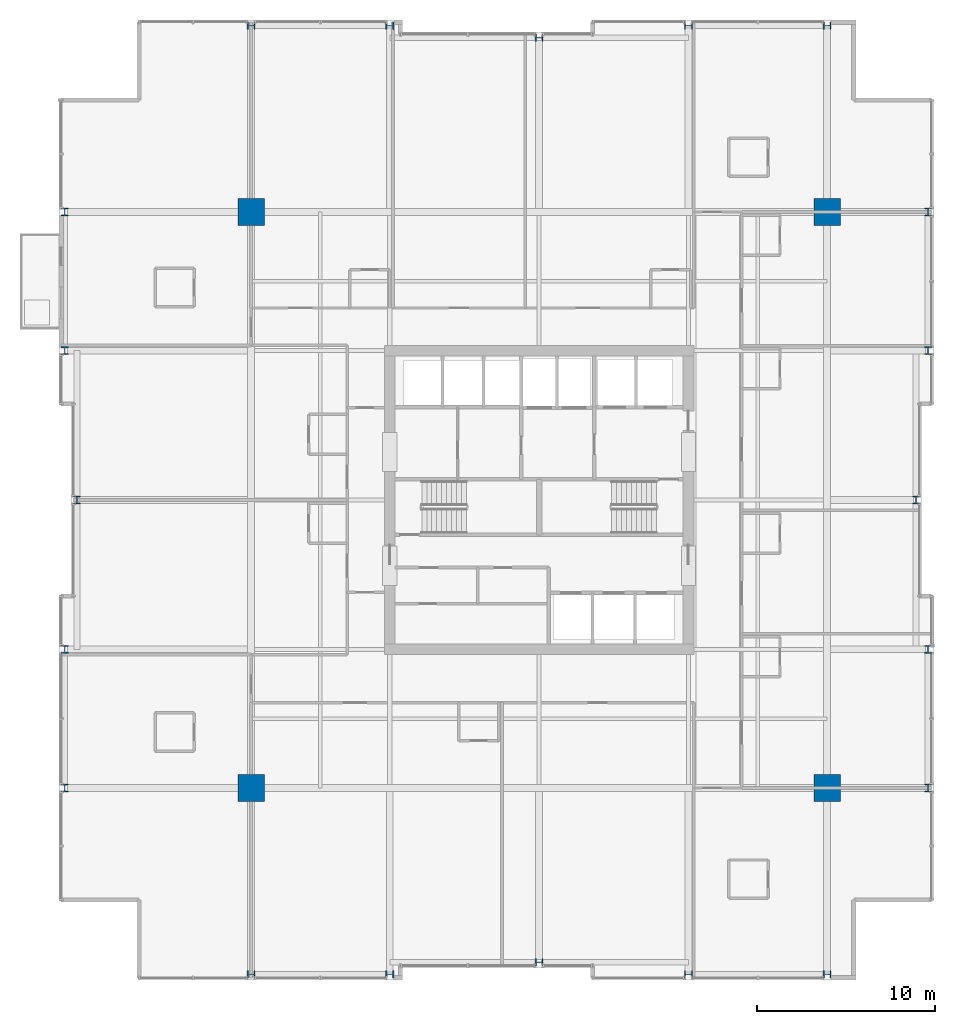
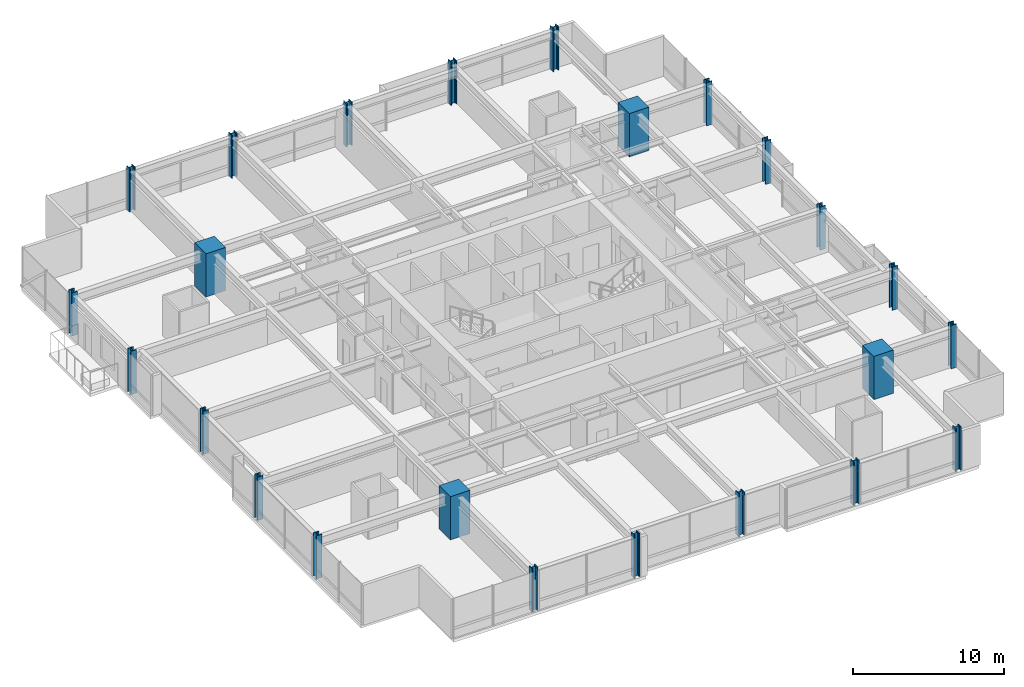
# One storey, part 1 of 33: 24 columns.
"""IFC4 building model written with IfcOpenShell, lengths in metres."""

from ifc_helpers import new_model, si_unit, direction, frame, origin, origin_2d, place, context, subcontext, project, spatial, rectangle, i_section, extrude, material, material_profile, profile_set, type_object, element, save


model = new_model("IFC4")

# Units and contexts
model_context = context("Model", 3, precision=1e-05, world=origin(), true_north=direction((0.0, 1.0)))
body_context = subcontext(model_context, "Body", "Model", "MODEL_VIEW")
ifc_project = project(units=[si_unit("LENGTHUNIT", "METRE"), si_unit("AREAUNIT", "SQUARE_METRE"), si_unit("VOLUMEUNIT", "CUBIC_METRE"), si_unit("PLANEANGLEUNIT", "RADIAN"), si_unit("MASSUNIT", "GRAM", prefix="KILO")], contexts=[model_context])

# Site, building, storey
site_placement = place(None, origin())
site = spatial("IfcSite", under=ifc_project, at=site_placement, CompositionType="ELEMENT")
building_placement = place(site_placement, origin())
building = spatial("IfcBuilding", under=site, at=building_placement, Name="Drelvath Grand Hotel", CompositionType="ELEMENT")
storey_placement = place(building_placement, frame((0.0, 0.0, 105.800048828125)))
storey = spatial("IfcBuildingStorey", under=building, at=storey_placement, Name="L26", CompositionType="ELEMENT", Elevation=105.800048828125)

# Columns
ifc_material_1 = material(Name="Concrete f'c 70 MPa", Category="concrete")
ifc_material_profile_1 = material_profile(ifc_material_1, rectangle(XDim=1.5, YDim=1.5, at=origin_2d()), Name="MC1500X1500")
ifc_profile_set_1 = profile_set([ifc_material_profile_1], Name="Concrete f'c 70 MPa")
column_type_1 = type_object("IfcColumnType", Name="Composite Mega Column MC1500X1500", PredefinedType="COLUMN", material=ifc_profile_set_1)
for number, where, z_axis, x_axis, name in (
    (1, (-16.199951171875, 10.800048828125, 0.0), (0.0, 0.0, 1.0), (1.0, 0.0, 0.0), "L26 Composite Mega Column MC-SW"),
    (2, (16.199951171875, 10.800048828125, 0.0), (0.0, 0.0, 1.0), (1.0, 0.0, 0.0), "L26 Composite Mega Column MC-SE"),
    (3, (-16.199951171875, 43.199951171875, 0.0), (0.0, 0.0, 1.0), (1.0, 0.0, 0.0), "L26 Composite Mega Column MC-NW"),
    (4, (16.199951171875, 43.199951171875, 0.0), (0.0, 0.0, 1.0), (1.0, 0.0, 0.0), "L26 Composite Mega Column MC-NE"),
):
    element("IfcColumn", number, at=place(storey_placement, frame(where, z_axis=z_axis, x_axis=x_axis)), inside=storey, type_object=column_type_1, Name=name, PredefinedType="COLUMN", context=body_context, shape_type="SweptSolid", body=[
        extrude(rectangle(XDim=1.5, YDim=1.5, at=origin_2d()), origin(), (0.0, 0.0, 1.0), 3.5),
    ])
ifc_material_2 = material(Name="Steel ASTM A913 Gr 65", Category="steel")
ifc_material_profile_2 = material_profile(ifc_material_2, i_section(OverallWidth=0.41845703125, OverallDepth=0.455078125, WebThickness=0.0419921875, FlangeThickness=0.067626953125, FilletRadius=0.030029296875, at=origin_2d()), Name="W14X370")
ifc_profile_set_2 = profile_set([ifc_material_profile_2], Name="Steel ASTM A913 Gr 65")
column_type_2 = type_object("IfcColumnType", Name="Perimeter Steel Column W14X370", PredefinedType="COLUMN", material=ifc_profile_set_2)
for number, where, z_axis, x_axis, name in (
    (5, (-26.679931640625, 10.800048828125, 0.0), (0.0, 0.0, 1.0), (1.0, 0.0, 0.0), "L26 Structural Column TCW-C"),
    (6, (21.8798828125, 10.800048828125, 0.0), (0.0, 0.0, 1.0), (1.0, 0.0, 0.0), "L26 Structural Column TCE-C"),
    (7, (-26.679931640625, 18.60009765625, 0.0), (0.0, 0.0, 1.0), (1.0, 0.0, 0.0), "L26 Structural Column TCW-D"),
    (8, (21.8798828125, 18.60009765625, 0.0), (0.0, 0.0, 1.0), (1.0, 0.0, 0.0), "L26 Structural Column TCE-D"),
    (9, (-26.0, 27.0, 0.0), (0.0, 0.0, 1.0), (1.0, 0.0, 0.0), "L26 Structural Column TCW-E"),
    (10, (21.199951171875, 27.0, 0.0), (0.0, 0.0, 1.0), (1.0, 0.0, 0.0), "L26 Structural Column TCE-E"),
    (11, (-26.679931640625, 35.39990234375, 0.0), (0.0, 0.0, 1.0), (1.0, 0.0, 0.0), "L26 Structural Column TCW-F"),
    (12, (21.8798828125, 35.39990234375, 0.0), (0.0, 0.0, 1.0), (1.0, 0.0, 0.0), "L26 Structural Column TCE-F"),
    (13, (-26.679931640625, 43.199951171875, 0.0), (0.0, 0.0, 1.0), (1.0, 0.0, 0.0), "L26 Structural Column TCW-G"),
    (14, (21.8798828125, 43.199951171875, 0.0), (0.0, 0.0, 1.0), (1.0, 0.0, 0.0), "L26 Structural Column TCE-G"),
    (15, (-16.199951171875, 0.320068359375, 0.0), (0.0, 0.0, 1.0), (0.0, 1.0, 0.0), "L26 Structural Column TCS-3"),
    (16, (-16.199951171875, 53.679931640625, 0.0), (0.0, 0.0, 1.0), (0.0, 1.0, 0.0), "L26 Structural Column TCN-3"),
    (17, (-8.39990234375, 0.320068359375, 0.0), (0.0, 0.0, 1.0), (0.0, 1.0, 0.0), "L26 Structural Column TCS-4"),
    (18, (-8.39990234375, 53.679931640625, 0.0), (0.0, 0.0, 1.0), (0.0, 1.0, 0.0), "L26 Structural Column TCN-4"),
    (19, (0.0, 1.0, 0.0), (0.0, 0.0, 1.0), (0.0, 1.0, 0.0), "L26 Structural Column TCS-5"),
    (20, (0.0, 53.0, 0.0), (0.0, 0.0, 1.0), (0.0, 1.0, 0.0), "L26 Structural Column TCN-5"),
    (21, (8.39990234375, 0.320068359375, 0.0), (0.0, 0.0, 1.0), (0.0, 1.0, 0.0), "L26 Structural Column TCS-6"),
    (22, (8.39990234375, 53.679931640625, 0.0), (0.0, 0.0, 1.0), (0.0, 1.0, 0.0), "L26 Structural Column TCN-6"),
    (23, (16.199951171875, 0.320068359375, 0.0), (0.0, 0.0, 1.0), (0.0, 1.0, 0.0), "L26 Structural Column TCS-7"),
    (24, (16.199951171875, 53.679931640625, 0.0), (0.0, 0.0, 1.0), (0.0, 1.0, 0.0), "L26 Structural Column TCN-7"),
):
    element("IfcColumn", number, at=place(storey_placement, frame(where, z_axis=z_axis, x_axis=x_axis)), inside=storey, type_object=column_type_2, Name=name, PredefinedType="COLUMN", context=body_context, shape_type="SweptSolid", body=[
        extrude(i_section(OverallWidth=0.41845703125, OverallDepth=0.455078125, WebThickness=0.0419921875, FlangeThickness=0.067626953125, FilletRadius=0.030029296875, at=origin_2d()), origin(), (0.0, 0.0, 1.0), 3.4970703125),
    ])

save(model, "model.ifc")
